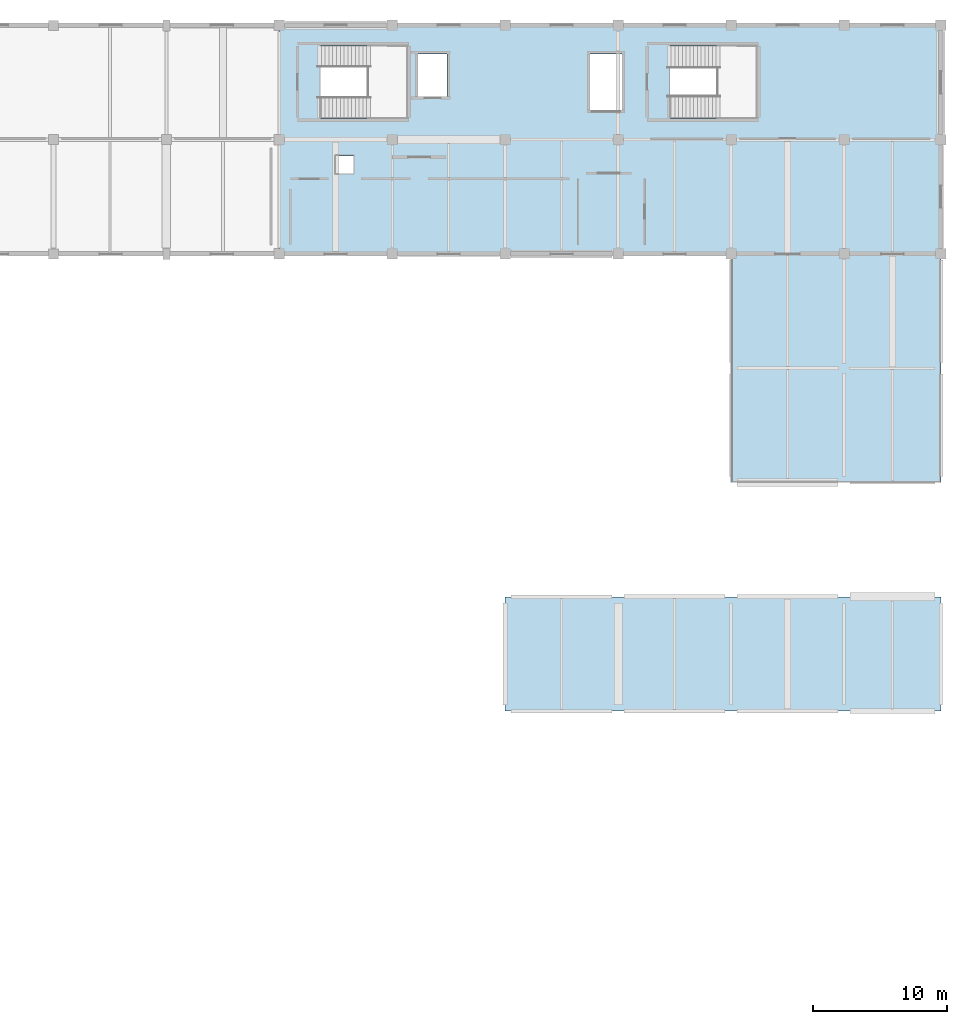
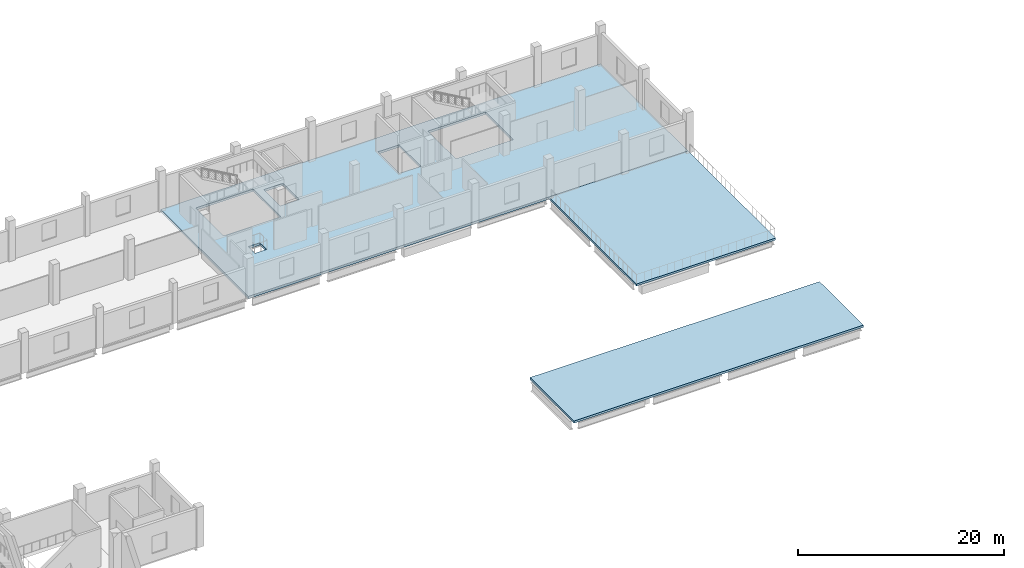
# One storey, part 93 of 117: 3 slabs.
"""IFC4 building model written with IfcOpenShell, lengths in metres."""

import ifcopenshell
import ifcopenshell.guid

model = None  # the IFC model being written
_history = None  # IfcOwnerHistory: only IFC2X3 demands one
_inside = {}  # id of a spatial element -> (the spatial element, [elements in it])
_under = {}  # id of a project, library or spatial element -> (it, [spatial elements below it])
_declared = {}  # id of a project -> (the project, [libraries it declares])
_typed = {}  # id of a type object -> (the type object, [elements of that type])
_made_of = {}  # id of a material, layer set ... -> (it, [elements and type objects made of it])


def new_model(schema):
    """Start an empty IFC model of exactly this schema.

    Asked for "IFC4X3", IfcOpenShell would pick the latest addendum, in which some entities
    have other attributes; the version numbers below select the first issue.
    IFC2X3 requires an IfcOwnerHistory on every rooted entity: one is made here for all.
    """
    global model, _history
    if schema == "IFC4X3":
        model = ifcopenshell.file(schema_version=(4, 3, 0, 0))
    else:
        model = ifcopenshell.file(schema=schema)
    _inside.clear()
    _under.clear()
    _declared.clear()
    _typed.clear()
    _made_of.clear()
    _history = None
    if model.schema == "IFC2X3":
        org = make("IfcOrganization", Name="unknown")
        user = make(
            "IfcPersonAndOrganization",
            ThePerson=make("IfcPerson", FamilyName="unknown"),
            TheOrganization=org,
        )
        app = make(
            "IfcApplication",
            ApplicationDeveloper=org,
            Version="unknown",
            ApplicationFullName="unknown",
            ApplicationIdentifier="unknown",
        )
        _history = make(
            "IfcOwnerHistory",
            OwningUser=user,
            OwningApplication=app,
            ChangeAction="ADDED",
            CreationDate=0,
        )
    return model


def make(cls, **values):
    """One entity of the class cls with the attributes given. An attribute that is None is left unset."""
    return model.create_entity(
        cls, **{name: value for name, value in values.items() if value is not None}
    )


def rooted(cls, **values):
    """An entity with a GlobalId (a new one), such as an element, a storey or a relation."""
    return make(cls, GlobalId=ifcopenshell.guid.new(), OwnerHistory=_history, **values)


def si_unit(unit_type, name, prefix=None):
    """IfcSIUnit, for example si_unit("LENGTHUNIT", "METRE", prefix="MILLI")."""
    return make("IfcSIUnit", UnitType=unit_type, Prefix=prefix, Name=name)


def assignment(units):
    """IfcUnitAssignment: the units of a project."""
    return None if units is None else make("IfcUnitAssignment", Units=units)


def point(xyz):
    """IfcCartesianPoint."""
    return None if xyz is None else make("IfcCartesianPoint", Coordinates=xyz)


def direction(xyz):
    """IfcDirection."""
    return None if xyz is None else make("IfcDirection", DirectionRatios=xyz)


def frame(location, z_axis=None, x_axis=None):
    """IfcAxis2Placement3D, a coordinate frame: its origin and axes. An axis left out is left unset."""
    return make(
        "IfcAxis2Placement3D",
        Location=point(location),
        Axis=direction(z_axis),
        RefDirection=direction(x_axis),
    )


def origin():
    """The frame at (0, 0, 0) with its axes left unset."""
    return frame((0.0, 0.0, 0.0))


def place(relative_to, where):
    """IfcLocalPlacement: puts the frame where relative to a parent placement (None: the world)."""
    return make(
        "IfcLocalPlacement", PlacementRelTo=relative_to, RelativePlacement=where
    )


def context(
    kind, dimensions, precision=None, world=None, true_north=None, identifier=None
):
    """IfcGeometricRepresentationContext, for example the 3D "Model" context."""
    return make(
        "IfcGeometricRepresentationContext",
        ContextIdentifier=identifier,
        ContextType=kind,
        CoordinateSpaceDimension=dimensions,
        Precision=precision,
        WorldCoordinateSystem=world,
        TrueNorth=true_north,
    )


def subcontext(parent, identifier, kind, view, scale=None):
    """IfcGeometricRepresentationSubContext, for example "Body" below "Model"."""
    return make(
        "IfcGeometricRepresentationSubContext",
        ContextIdentifier=identifier,
        ContextType=kind,
        ParentContext=parent,
        TargetScale=scale,
        TargetView=view,
    )


def project(units=None, contexts=None):
    """IfcProject with its units and contexts."""
    return rooted(
        "IfcProject",
        Name="project",
        RepresentationContexts=contexts,
        UnitsInContext=assignment(units),
    )


def spatial(cls, under=None, at=None, **own):
    """A site, building, storey or space (cls), placed at a placement, below another one or the project."""
    s = rooted(cls, ObjectPlacement=at, **own)
    if under is not None:
        _under.setdefault(under.id(), (under, []))[1].append(s)
    return s


def polyline(points):
    """IfcPolyline through the points."""
    return make("IfcPolyline", Points=[point(p) for p in points])


def outline(outer, holes=None, kind="AREA"):
    """IfcArbitraryClosedProfileDef: a profile drawn as a closed curve; with holes, ...WithVoids."""
    if holes is None:
        return make("IfcArbitraryClosedProfileDef", ProfileType=kind, OuterCurve=outer)
    return make(
        "IfcArbitraryProfileDefWithVoids",
        ProfileType=kind,
        OuterCurve=outer,
        InnerCurves=holes,
    )


def extrude(swept, where, along, depth):
    """IfcExtrudedAreaSolid: the profile swept, set in the frame where, extruded along a direction by depth."""
    return make(
        "IfcExtrudedAreaSolid",
        SweptArea=swept,
        Position=where,
        ExtrudedDirection=direction(along),
        Depth=depth,
    )


def shape(context_of_items, identifier, shape_type, items):
    """IfcShapeRepresentation: the items that make up one representation, for example the "Body"."""
    return make(
        "IfcShapeRepresentation",
        ContextOfItems=context_of_items,
        RepresentationIdentifier=identifier,
        RepresentationType=shape_type,
        Items=items,
    )


def material(Name=None, Category=None):
    """IfcMaterial."""
    return make("IfcMaterial", Name=Name, Category=Category)


def layer(
    of_material, thickness, ventilated=None, Name=None, Category=None, Priority=None
):
    """IfcMaterialLayer: one layer of a wall or slab, of a material (None: an air gap)."""
    return make(
        "IfcMaterialLayer",
        Material=of_material,
        LayerThickness=thickness,
        IsVentilated=ventilated,
        Name=Name,
        Category=Category,
        Priority=Priority,
    )


def layer_set(layers, Name=None):
    """IfcMaterialLayerSet."""
    return make("IfcMaterialLayerSet", MaterialLayers=layers, LayerSetName=Name)


def made_of(thing, what):
    """Note that an element or type object is made of a material, layer set ...; save() writes the relation."""
    if what is not None:
        _made_of.setdefault(what.id(), (what, []))[1].append(thing)
    return thing


def type_object(cls, material=None, **own):
    """A type object (cls), such as IfcWallType, which elements share."""
    return made_of(rooted(cls, **own), material)


def element(
    cls,
    number,
    at=None,
    inside=None,
    cuts=None,
    type_object=None,
    material=None,
    context=None,
    identifier="Body",
    shape_type=None,
    held_by="IfcProductDefinitionShape",
    body=None,
    shapes=None,
    **own,
):
    """One element of the class cls, such as IfcWall. Its Tag is "e" and its number.

    at: its placement. inside: the storey or other place that contains it. cuts: it is an
    opening in that element (IfcRelVoidsElement). A single representation is given by context,
    identifier, shape_type and body (its items); several are given by shapes. held_by: the class
    of the entity that holds the representations. save() writes the other relations.
    """
    e = rooted(cls, Tag="e%d" % number, ObjectPlacement=at, **own)
    if body is not None:
        shapes = [shape(context, identifier, shape_type, body)]
    if shapes is not None:
        e.Representation = make(held_by, Representations=shapes)
    if inside is not None:
        _inside.setdefault(inside.id(), (inside, []))[1].append(e)
    if cuts is not None:
        rooted(
            "IfcRelVoidsElement", RelatingBuildingElement=cuts, RelatedOpeningElement=e
        )
    if type_object is not None:
        _typed.setdefault(type_object.id(), (type_object, []))[1].append(e)
    return made_of(e, material)


def aggregate(whole, parts):
    """IfcRelAggregates: a whole, such as a stair, and the parts it consists of."""
    return rooted("IfcRelAggregates", RelatingObject=whole, RelatedObjects=parts)


def save(model, path):
    """Write the relations noted so far, then the file.

    IfcRelAggregates (storeys below a building ...), IfcRelContainedInSpatialStructure (elements
    in a storey), IfcRelDefinesByType, IfcRelAssociatesMaterial and IfcRelDeclares: one each for
    every whole, place, type object, material and project.
    """
    for whole, parts in _under.values():
        aggregate(whole, parts)
    for where, things in _inside.values():
        rooted(
            "IfcRelContainedInSpatialStructure",
            RelatedElements=things,
            RelatingStructure=where,
        )
    for kind, things in _typed.values():
        rooted("IfcRelDefinesByType", RelatedObjects=things, RelatingType=kind)
    for what, things in _made_of.values():
        rooted("IfcRelAssociatesMaterial", RelatedObjects=things, RelatingMaterial=what)
    for by, libraries in _declared.values():
        rooted("IfcRelDeclares", RelatingContext=by, RelatedDefinitions=libraries)
    model.write(path)


model = new_model("IFC4")

# Units and contexts
model_context = context("Model", 3, precision=1e-05, world=origin(), true_north=direction((0.0, 1.0)))
body_context = subcontext(model_context, "Body", "Model", "MODEL_VIEW")
ifc_project = project(units=[si_unit("LENGTHUNIT", "METRE"), si_unit("AREAUNIT", "SQUARE_METRE"), si_unit("VOLUMEUNIT", "CUBIC_METRE"), si_unit("PLANEANGLEUNIT", "RADIAN"), si_unit("MASSUNIT", "GRAM", prefix="KILO")], contexts=[model_context])

# Site, building, storey
site_placement = place(None, origin())
site = spatial("IfcSite", under=ifc_project, at=site_placement, CompositionType="ELEMENT")
building_placement = place(site_placement, origin())
building = spatial("IfcBuilding", under=site, at=building_placement, Name="Solvento Point Concert Hall", CompositionType="ELEMENT")
storey_placement = place(building_placement, frame((0.0, 0.0, 5.39990234375)))
storey = spatial("IfcBuildingStorey", under=building, at=storey_placement, Name="L01", CompositionType="ELEMENT", Elevation=5.39990234375)

# Slabs
ifc_material_1 = material(Name="Concrete C35/45", Category="concrete")
ifc_layer_1 = layer(ifc_material_1, 0.280029296875)
ifc_layer_set_1 = layer_set([ifc_layer_1], Name="Concrete C35/45")
slab_type_1 = type_object("IfcSlabType", Name="FloorSlab_280", PredefinedType="FLOOR", material=ifc_layer_set_1)
slab_1_placement = place(storey_placement, frame((0.0, 0.0, -0.27978515625)))
element("IfcSlab", 1, at=slab_1_placement, inside=storey, type_object=slab_type_1, Name="Structural slab SL-L01 SLAB-L01-V5N", PredefinedType="FLOOR", context=body_context, shape_type="SweptSolid", body=[
    extrude(outline(polyline([(166.800048828125, 136.0), (216.0, 136.0), (216.0, 119.0), (166.800048828125, 119.0), (166.800048828125, 136.0)]), holes=[polyline([(202.300048828125, 129.10009765625), (202.300048828125, 134.5), (195.85009765625, 134.5), (195.85009765625, 129.10009765625), (202.300048828125, 129.10009765625)]), polyline([(192.280029296875, 129.719970703125), (192.280029296875, 133.8798828125), (189.919921875, 133.8798828125), (189.919921875, 129.719970703125), (192.280029296875, 129.719970703125)]), polyline([(179.280029296875, 130.719970703125), (179.280029296875, 133.8798828125), (177.1201171875, 133.8798828125), (177.1201171875, 130.719970703125), (179.280029296875, 130.719970703125)]), polyline([(176.300048828125, 129.10009765625), (176.300048828125, 134.5), (169.85009765625, 134.5), (169.85009765625, 129.10009765625), (176.300048828125, 129.10009765625)]), polyline([(172.300048828125, 125.0), (172.300048828125, 126.300048828125), (171.0, 126.300048828125), (171.0, 125.0), (172.300048828125, 125.0)])]), origin(), (0.0, 0.0, 1.0), 0.27978515625),
])
ifc_material_2 = material(Name="Concrete C40/50", Category="concrete")
ifc_layer_2 = layer(ifc_material_2, 0.260009765625)
ifc_layer_set_2 = layer_set([ifc_layer_2], Name="Concrete C40/50")
slab_type_2 = type_object("IfcSlabType", Name="RoofFlat_260", PredefinedType="ROOF", material=ifc_layer_set_2)
slab_2_placement = place(storey_placement, frame((0.0, 0.0, -0.260009765625)))
element("IfcSlab", 2, at=slab_2_placement, inside=storey, type_object=slab_type_2, Name="Structural slab RF-DK1 RF-L01-V5S", PredefinedType="ROOF", context=body_context, shape_type="SweptSolid", body=[
    extrude(outline(polyline([(183.60009765625, 85.0), (183.60009765625, 93.5), (216.0, 93.5), (216.0, 85.0), (183.60009765625, 85.0)])), origin(), (0.0, 0.0, 1.0), 0.260009765625),
])
ifc_material_3 = material(Name="Concrete C40/50", Category="concrete")
ifc_layer_3 = layer(ifc_material_3, 0.239990234375)
ifc_layer_set_3 = layer_set([ifc_layer_3], Name="Concrete C40/50")
slab_type_3 = type_object("IfcSlabType", Name="TerraceSlab_250", PredefinedType="FLOOR", material=ifc_layer_set_3)
slab_3_placement = place(storey_placement, frame((0.0, 0.0, -0.239990234375)))
element("IfcSlab", 3, at=slab_3_placement, inside=storey, type_object=slab_type_3, Name="Outdoor public terrace deck L01", PredefinedType="FLOOR", context=body_context, shape_type="SweptSolid", body=[
    extrude(outline(polyline([(200.39990234375, 102.0), (200.39990234375, 119.0), (216.0, 119.0), (216.0, 102.0), (200.39990234375, 102.0)])), origin(), (0.0, 0.0, 1.0), 0.239990234375),
])

save(model, "model.ifc")
